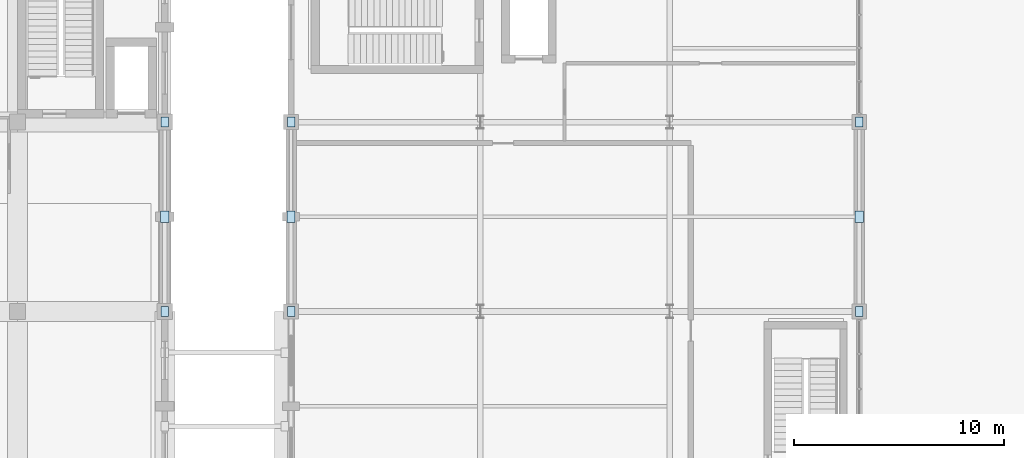
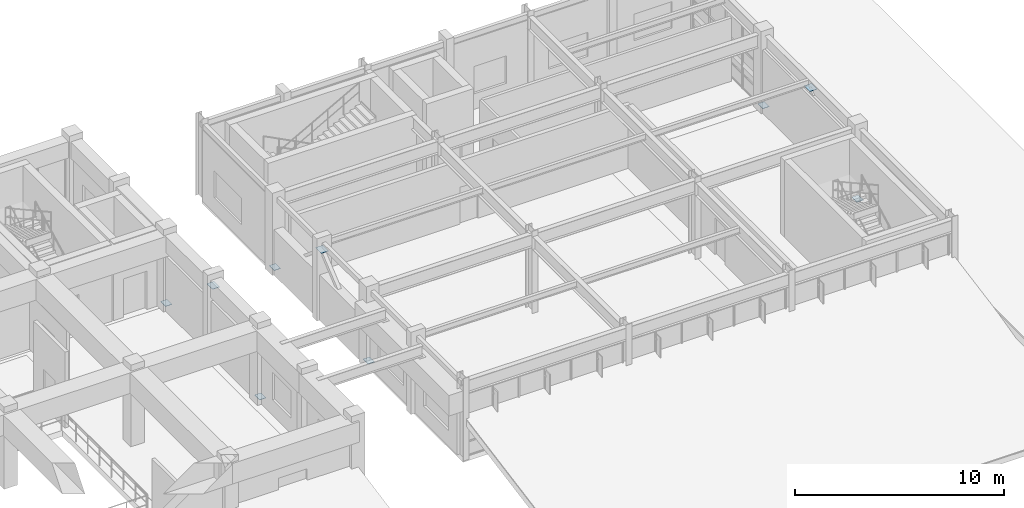
# One storey, part 80 of 104: 9 plates.
"""IFC4 building model written with IfcOpenShell, lengths in metres."""

import ifcopenshell
import ifcopenshell.guid

model = None  # the IFC model being written
_history = None  # IfcOwnerHistory: only IFC2X3 demands one
_inside = {}  # id of a spatial element -> (the spatial element, [elements in it])
_under = {}  # id of a project, library or spatial element -> (it, [spatial elements below it])
_declared = {}  # id of a project -> (the project, [libraries it declares])
_typed = {}  # id of a type object -> (the type object, [elements of that type])
_made_of = {}  # id of a material, layer set ... -> (it, [elements and type objects made of it])


def new_model(schema):
    """Start an empty IFC model of exactly this schema.

    Asked for "IFC4X3", IfcOpenShell would pick the latest addendum, in which some entities
    have other attributes; the version numbers below select the first issue.
    IFC2X3 requires an IfcOwnerHistory on every rooted entity: one is made here for all.
    """
    global model, _history
    if schema == "IFC4X3":
        model = ifcopenshell.file(schema_version=(4, 3, 0, 0))
    else:
        model = ifcopenshell.file(schema=schema)
    _inside.clear()
    _under.clear()
    _declared.clear()
    _typed.clear()
    _made_of.clear()
    _history = None
    if model.schema == "IFC2X3":
        org = make("IfcOrganization", Name="unknown")
        user = make(
            "IfcPersonAndOrganization",
            ThePerson=make("IfcPerson", FamilyName="unknown"),
            TheOrganization=org,
        )
        app = make(
            "IfcApplication",
            ApplicationDeveloper=org,
            Version="unknown",
            ApplicationFullName="unknown",
            ApplicationIdentifier="unknown",
        )
        _history = make(
            "IfcOwnerHistory",
            OwningUser=user,
            OwningApplication=app,
            ChangeAction="ADDED",
            CreationDate=0,
        )
    return model


def make(cls, **values):
    """One entity of the class cls with the attributes given. An attribute that is None is left unset."""
    return model.create_entity(
        cls, **{name: value for name, value in values.items() if value is not None}
    )


def rooted(cls, **values):
    """An entity with a GlobalId (a new one), such as an element, a storey or a relation."""
    return make(cls, GlobalId=ifcopenshell.guid.new(), OwnerHistory=_history, **values)


def si_unit(unit_type, name, prefix=None):
    """IfcSIUnit, for example si_unit("LENGTHUNIT", "METRE", prefix="MILLI")."""
    return make("IfcSIUnit", UnitType=unit_type, Prefix=prefix, Name=name)


def assignment(units):
    """IfcUnitAssignment: the units of a project."""
    return None if units is None else make("IfcUnitAssignment", Units=units)


def point(xyz):
    """IfcCartesianPoint."""
    return None if xyz is None else make("IfcCartesianPoint", Coordinates=xyz)


def direction(xyz):
    """IfcDirection."""
    return None if xyz is None else make("IfcDirection", DirectionRatios=xyz)


def frame(location, z_axis=None, x_axis=None):
    """IfcAxis2Placement3D, a coordinate frame: its origin and axes. An axis left out is left unset."""
    return make(
        "IfcAxis2Placement3D",
        Location=point(location),
        Axis=direction(z_axis),
        RefDirection=direction(x_axis),
    )


def frame_2d(location, x_axis=None):
    """IfcAxis2Placement2D, a coordinate frame in the plane: its origin and x axis."""
    return make(
        "IfcAxis2Placement2D", Location=point(location), RefDirection=direction(x_axis)
    )


def origin():
    """The frame at (0, 0, 0) with its axes left unset."""
    return frame((0.0, 0.0, 0.0))


def origin_2d():
    """The frame at (0, 0) in the plane with its x axis left unset."""
    return frame_2d((0.0, 0.0))


def place(relative_to, where):
    """IfcLocalPlacement: puts the frame where relative to a parent placement (None: the world)."""
    return make(
        "IfcLocalPlacement", PlacementRelTo=relative_to, RelativePlacement=where
    )


def context(
    kind, dimensions, precision=None, world=None, true_north=None, identifier=None
):
    """IfcGeometricRepresentationContext, for example the 3D "Model" context."""
    return make(
        "IfcGeometricRepresentationContext",
        ContextIdentifier=identifier,
        ContextType=kind,
        CoordinateSpaceDimension=dimensions,
        Precision=precision,
        WorldCoordinateSystem=world,
        TrueNorth=true_north,
    )


def subcontext(parent, identifier, kind, view, scale=None):
    """IfcGeometricRepresentationSubContext, for example "Body" below "Model"."""
    return make(
        "IfcGeometricRepresentationSubContext",
        ContextIdentifier=identifier,
        ContextType=kind,
        ParentContext=parent,
        TargetScale=scale,
        TargetView=view,
    )


def project(units=None, contexts=None):
    """IfcProject with its units and contexts."""
    return rooted(
        "IfcProject",
        Name="project",
        RepresentationContexts=contexts,
        UnitsInContext=assignment(units),
    )


def spatial(cls, under=None, at=None, **own):
    """A site, building, storey or space (cls), placed at a placement, below another one or the project."""
    s = rooted(cls, ObjectPlacement=at, **own)
    if under is not None:
        _under.setdefault(under.id(), (under, []))[1].append(s)
    return s


def profile(cls, at=None, kind="AREA", **sizes):
    """A parametric profile (cls). Its sizes go by their IFC names, for example OverallWidth=200.0."""
    return make(cls, ProfileType=kind, Position=at, **sizes)


def rectangle(**sizes):
    """IfcRectangleProfileDef."""
    return profile("IfcRectangleProfileDef", **sizes)


def extrude(swept, where, along, depth):
    """IfcExtrudedAreaSolid: the profile swept, set in the frame where, extruded along a direction by depth."""
    return make(
        "IfcExtrudedAreaSolid",
        SweptArea=swept,
        Position=where,
        ExtrudedDirection=direction(along),
        Depth=depth,
    )


def shape(context_of_items, identifier, shape_type, items):
    """IfcShapeRepresentation: the items that make up one representation, for example the "Body"."""
    return make(
        "IfcShapeRepresentation",
        ContextOfItems=context_of_items,
        RepresentationIdentifier=identifier,
        RepresentationType=shape_type,
        Items=items,
    )


def material(Name=None, Category=None):
    """IfcMaterial."""
    return make("IfcMaterial", Name=Name, Category=Category)


def layer(
    of_material, thickness, ventilated=None, Name=None, Category=None, Priority=None
):
    """IfcMaterialLayer: one layer of a wall or slab, of a material (None: an air gap)."""
    return make(
        "IfcMaterialLayer",
        Material=of_material,
        LayerThickness=thickness,
        IsVentilated=ventilated,
        Name=Name,
        Category=Category,
        Priority=Priority,
    )


def layer_set(layers, Name=None):
    """IfcMaterialLayerSet."""
    return make("IfcMaterialLayerSet", MaterialLayers=layers, LayerSetName=Name)


def made_of(thing, what):
    """Note that an element or type object is made of a material, layer set ...; save() writes the relation."""
    if what is not None:
        _made_of.setdefault(what.id(), (what, []))[1].append(thing)
    return thing


def type_object(cls, material=None, **own):
    """A type object (cls), such as IfcWallType, which elements share."""
    return made_of(rooted(cls, **own), material)


def element(
    cls,
    number,
    at=None,
    inside=None,
    cuts=None,
    type_object=None,
    material=None,
    context=None,
    identifier="Body",
    shape_type=None,
    held_by="IfcProductDefinitionShape",
    body=None,
    shapes=None,
    **own,
):
    """One element of the class cls, such as IfcWall. Its Tag is "e" and its number.

    at: its placement. inside: the storey or other place that contains it. cuts: it is an
    opening in that element (IfcRelVoidsElement). A single representation is given by context,
    identifier, shape_type and body (its items); several are given by shapes. held_by: the class
    of the entity that holds the representations. save() writes the other relations.
    """
    e = rooted(cls, Tag="e%d" % number, ObjectPlacement=at, **own)
    if body is not None:
        shapes = [shape(context, identifier, shape_type, body)]
    if shapes is not None:
        e.Representation = make(held_by, Representations=shapes)
    if inside is not None:
        _inside.setdefault(inside.id(), (inside, []))[1].append(e)
    if cuts is not None:
        rooted(
            "IfcRelVoidsElement", RelatingBuildingElement=cuts, RelatedOpeningElement=e
        )
    if type_object is not None:
        _typed.setdefault(type_object.id(), (type_object, []))[1].append(e)
    return made_of(e, material)


def aggregate(whole, parts):
    """IfcRelAggregates: a whole, such as a stair, and the parts it consists of."""
    return rooted("IfcRelAggregates", RelatingObject=whole, RelatedObjects=parts)


def save(model, path):
    """Write the relations noted so far, then the file.

    IfcRelAggregates (storeys below a building ...), IfcRelContainedInSpatialStructure (elements
    in a storey), IfcRelDefinesByType, IfcRelAssociatesMaterial and IfcRelDeclares: one each for
    every whole, place, type object, material and project.
    """
    for whole, parts in _under.values():
        aggregate(whole, parts)
    for where, things in _inside.values():
        rooted(
            "IfcRelContainedInSpatialStructure",
            RelatedElements=things,
            RelatingStructure=where,
        )
    for kind, things in _typed.values():
        rooted("IfcRelDefinesByType", RelatedObjects=things, RelatingType=kind)
    for what, things in _made_of.values():
        rooted("IfcRelAssociatesMaterial", RelatedObjects=things, RelatingMaterial=what)
    for by, libraries in _declared.values():
        rooted("IfcRelDeclares", RelatingContext=by, RelatedDefinitions=libraries)
    model.write(path)


model = new_model("IFC4")

# Units and contexts
model_context = context("Model", 3, precision=1e-05, world=origin(), true_north=direction((0.0, 1.0)))
body_context = subcontext(model_context, "Body", "Model", "MODEL_VIEW")
ifc_project = project(units=[si_unit("LENGTHUNIT", "METRE"), si_unit("AREAUNIT", "SQUARE_METRE"), si_unit("VOLUMEUNIT", "CUBIC_METRE"), si_unit("PLANEANGLEUNIT", "RADIAN"), si_unit("MASSUNIT", "GRAM", prefix="KILO")], contexts=[model_context])

# Site, building, storey
site_placement = place(None, origin())
site = spatial("IfcSite", under=ifc_project, at=site_placement, CompositionType="ELEMENT")
building_placement = place(site_placement, origin())
building = spatial("IfcBuilding", under=site, at=building_placement, Name="Ventoquebrada Cableway Terminal", CompositionType="ELEMENT")
storey_placement = place(building_placement, frame((0.0, 0.0, 4.800048828125)))
storey = spatial("IfcBuildingStorey", under=building, at=storey_placement, Name="L01", CompositionType="ELEMENT", Elevation=4.800048828125)

# Plates
ifc_material = material(Name="Steel ASTM A572 Grade 50", Category="steel")
ifc_layer = layer(ifc_material, 0.02001953125)
ifc_layer_set = layer_set([ifc_layer], Name="Steel ASTM A572 Grade 50")
plate_type = type_object("IfcPlateType", Name="GP-PL01", PredefinedType="USERDEFINED", material=ifc_layer_set)
plate_1_placement = place(storey_placement, frame((129.0, 90.5, 3.919921875), z_axis=(0.0, 0.0, 1.0), x_axis=(0.0, 1.0, 0.0)))
element("IfcPlate", 1, at=plate_1_placement, inside=storey, type_object=plate_type, Name="Chevron brace apex gusset plate GP-045", ObjectType="GUSSET PLATE", PredefinedType="USERDEFINED", context=body_context, shape_type="SweptSolid", body=[
    extrude(rectangle(XDim=0.550048828125, YDim=0.39990234375, at=origin_2d()), origin(), (0.0, 0.0, 1.0), 0.02001953125),
])
for number, where, z_axis, x_axis, name in (
    (2, (129.0, 86.0, 0.159912109375), (0.0, 0.0, 1.0), (0.0, 1.0, 0.0), "Chevron brace base gusset plate GP-046"),
    (3, (129.0, 95.0, 0.159912109375), (0.0, 0.0, 1.0), (0.0, 1.0, 0.0), "Chevron brace base gusset plate GP-047"),
):
    element("IfcPlate", number, at=place(storey_placement, frame(where, z_axis=z_axis, x_axis=x_axis)), inside=storey, type_object=plate_type, Name=name, ObjectType="GUSSET PLATE", PredefinedType="USERDEFINED", context=body_context, shape_type="SweptSolid", body=[
        extrude(rectangle(XDim=0.47998046875, YDim=0.360107421875, at=origin_2d()), origin(), (0.0, 0.0, 1.0), 0.02001953125),
    ])
plate_2_placement = place(storey_placement, frame((156.0, 90.5, 3.919921875), z_axis=(0.0, 0.0, 1.0), x_axis=(0.0, 1.0, 0.0)))
element("IfcPlate", 4, at=plate_2_placement, inside=storey, type_object=plate_type, Name="Chevron brace apex gusset plate GP-051", ObjectType="GUSSET PLATE", PredefinedType="USERDEFINED", context=body_context, shape_type="SweptSolid", body=[
    extrude(rectangle(XDim=0.550048828125, YDim=0.39990234375, at=origin_2d()), origin(), (0.0, 0.0, 1.0), 0.02001953125),
])
for number, where, z_axis, x_axis, name in (
    (5, (156.0, 86.0, 0.159912109375), (0.0, 0.0, 1.0), (0.0, 1.0, 0.0), "Chevron brace base gusset plate GP-052"),
    (6, (156.0, 95.0, 0.159912109375), (0.0, 0.0, 1.0), (0.0, 1.0, 0.0), "Chevron brace base gusset plate GP-053"),
):
    element("IfcPlate", number, at=place(storey_placement, frame(where, z_axis=z_axis, x_axis=x_axis)), inside=storey, type_object=plate_type, Name=name, ObjectType="GUSSET PLATE", PredefinedType="USERDEFINED", context=body_context, shape_type="SweptSolid", body=[
        extrude(rectangle(XDim=0.47998046875, YDim=0.360107421875, at=origin_2d()), origin(), (0.0, 0.0, 1.0), 0.02001953125),
    ])
plate_3_placement = place(storey_placement, frame((123.0, 90.5, 3.919921875), z_axis=(0.0, 0.0, 1.0), x_axis=(0.0, 1.0, 0.0)))
element("IfcPlate", 7, at=plate_3_placement, inside=storey, type_object=plate_type, Name="Chevron brace apex gusset plate GP-063", ObjectType="GUSSET PLATE", PredefinedType="USERDEFINED", context=body_context, shape_type="SweptSolid", body=[
    extrude(rectangle(XDim=0.550048828125, YDim=0.39990234375, at=origin_2d()), origin(), (0.0, 0.0, 1.0), 0.02001953125),
])
for number, where, z_axis, x_axis, name in (
    (8, (123.0, 86.0, 0.159912109375), (0.0, 0.0, 1.0), (0.0, 1.0, 0.0), "Chevron brace base gusset plate GP-064"),
    (9, (123.0, 95.0, 0.159912109375), (0.0, 0.0, 1.0), (0.0, 1.0, 0.0), "Chevron brace base gusset plate GP-065"),
):
    element("IfcPlate", number, at=place(storey_placement, frame(where, z_axis=z_axis, x_axis=x_axis)), inside=storey, type_object=plate_type, Name=name, ObjectType="GUSSET PLATE", PredefinedType="USERDEFINED", context=body_context, shape_type="SweptSolid", body=[
        extrude(rectangle(XDim=0.47998046875, YDim=0.360107421875, at=origin_2d()), origin(), (0.0, 0.0, 1.0), 0.02001953125),
    ])

save(model, "model.ifc")
